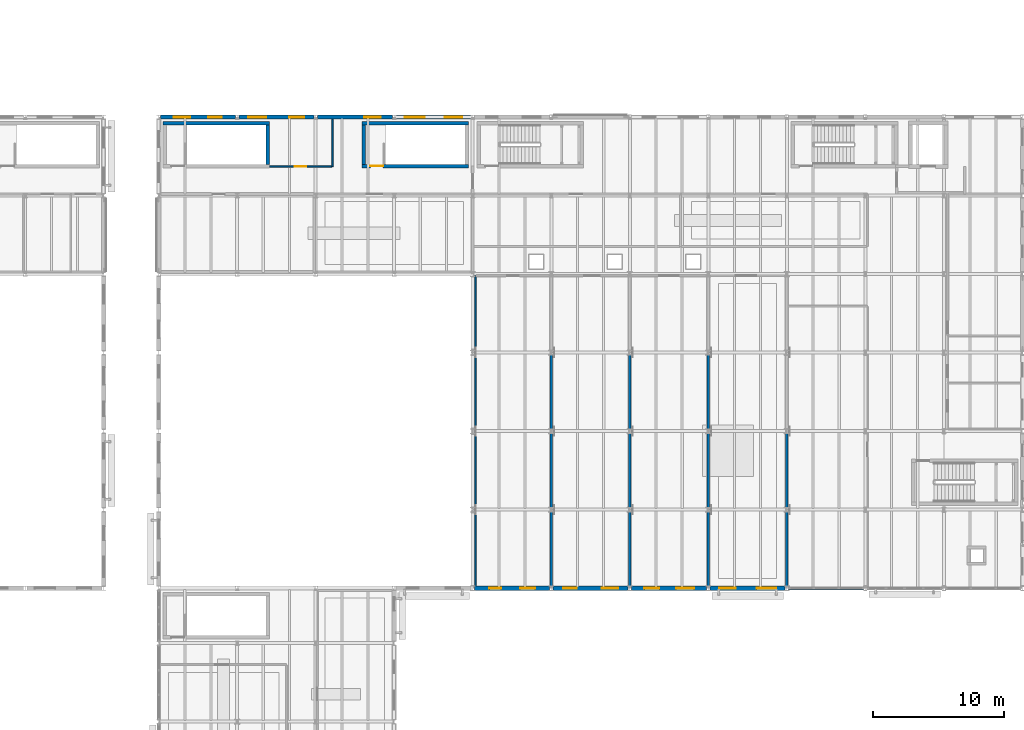
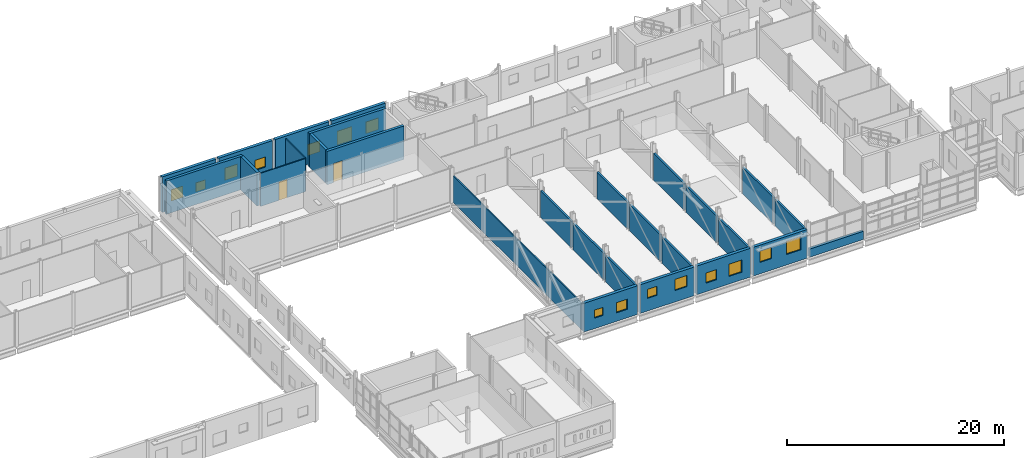
# One storey, part 67 of 92: 28 walls, 15 windows, 2 doors, 17 openings.
"""IFC4 building model written with IfcOpenShell, lengths in metres."""

from ifc_helpers import new_model, si_unit, direction, frame, frame_2d, origin, place, context, subcontext, project, spatial, rectangle, extrude, material, layer, layer_set, type_object, element, fill, save


model = new_model("IFC4")

# Units and contexts
model_context = context("Model", 3, precision=1e-05, world=origin(), true_north=direction((0.0, 1.0)))
body_context = subcontext(model_context, "Body", "Model", "MODEL_VIEW")
ifc_project = project(units=[si_unit("LENGTHUNIT", "METRE"), si_unit("AREAUNIT", "SQUARE_METRE"), si_unit("VOLUMEUNIT", "CUBIC_METRE"), si_unit("PLANEANGLEUNIT", "RADIAN"), si_unit("MASSUNIT", "GRAM", prefix="KILO")], contexts=[model_context])

# Site, building, storey
site_placement = place(None, origin())
site = spatial("IfcSite", under=ifc_project, at=site_placement, CompositionType="ELEMENT")
building_placement = place(site_placement, origin())
building = spatial("IfcBuilding", under=site, at=building_placement, Name="Siltcreek Boulevard Central Fire Station", CompositionType="ELEMENT")
storey_placement = place(building_placement, frame((0.0, 0.0, 6.0)))
storey = spatial("IfcBuildingStorey", under=building, at=storey_placement, Name="L02", CompositionType="ELEMENT", Elevation=6.0)

# Walls
ifc_material_1 = material(Name="Concrete C40/50", Category="concrete")
ifc_layer_1 = layer(ifc_material_1, 0.280029296875, Name="Concrete C40/50")
ifc_layer_set_1 = layer_set([ifc_layer_1], Name="Concrete C40/50")
wall_type_1 = type_object("IfcWallType", Name="CW_SHEAR280", PredefinedType="SHEAR", material=ifc_layer_set_1)
wall_1_placement = place(storey_placement, frame((50.47998046875, 53.5400390625, 0.0), z_axis=(0.0, 0.0, 1.0), x_axis=(-1.0, 0.0, 0.0)))
element("IfcWall", 1, at=wall_1_placement, inside=storey, type_object=wall_type_1, Name="L02 ST-V1A stair enclosure north shear wall", PredefinedType="SHEAR", context=body_context, shape_type="SweptSolid", body=[
    extrude(rectangle(XDim=8.159912109375, YDim=0.280029296875, at=frame_2d((4.080078125, 0.0))), origin(), (0.0, 0.0, 1.0), 3.75),
])
wall_2_placement = place(storey_placement, frame((50.340087890625, 50.39990234375, 0.0), z_axis=(0.0, 0.0, 1.0), x_axis=(0.0, 1.0, 0.0)))
element("IfcWall", 2, at=wall_2_placement, inside=storey, type_object=wall_type_1, Name="L02 ST-V1A stair enclosure east shear wall", PredefinedType="SHEAR", context=body_context, shape_type="SweptSolid", body=[
    extrude(rectangle(XDim=3.0, YDim=0.280029296875, at=frame_2d((1.5, 0.0))), origin(), (0.0, 0.0, 1.0), 3.75),
])

# Wall, opening, door
wall_3_placement = place(storey_placement, frame((57.52001953125, 50.260009765625, 0.0), z_axis=(0.0, 0.0, 1.0), x_axis=(1.0, 0.0, 0.0)))
wall_3 = element("IfcWall", 3, at=wall_3_placement, inside=storey, type_object=wall_type_1, Name="L02 ST-V1B stair enclosure south shear wall", PredefinedType="SHEAR", context=body_context, shape_type="SweptSolid", body=[
    extrude(rectangle(XDim=8.159912109375, YDim=0.280029296875, at=frame_2d((4.080078125, 0.0))), origin(), (0.0, 0.0, 1.0), 3.75),
])
opening_1_placement = place(wall_3_placement, frame((0.64990234375, 0.0, 0.0)))
opening_1 = element("IfcOpeningElement", 4, at=opening_1_placement, cuts=wall_3, Name="Opening SD-008", PredefinedType="OPENING", context=body_context, shape_type="SweptSolid", body=[
    extrude(rectangle(XDim=0.97998046875, YDim=2.14990234375, at=frame_2d((0.489990234375, 1.074951171875))), frame((0.0, 0.14990234375, 0.0), z_axis=(0.0, -1.0, 0.0), x_axis=(1.0, 0.0, 0.0)), (0.0, 0.0, 1.0), 0.300048828125),
])
ifc_material_2 = material(Name="Hollow metal 90-min enclosed stair door")
door_type_1 = type_object("IfcDoorType", Name="DR_ST_098X215", OperationType="NOTDEFINED", PredefinedType="DOOR", material=ifc_material_2)
door_1_placement = place(opening_1_placement, origin())
door_1 = element("IfcDoor", 5, at=door_1_placement, inside=storey, type_object=door_type_1, Name="L02 ST-V1B enclosed exit stair door SD-008", OperationType="SINGLE_SWING_LEFT", OverallHeight=2.14990234375, OverallWidth=0.97998046875, PredefinedType="DOOR", context=body_context, shape_type="SweptSolid", body=[
    extrude(rectangle(XDim=0.97998046875, YDim=2.14990234375, at=frame_2d((0.489990234375, 1.074951171875))), frame((0.0, 0.02490234375, 0.0), z_axis=(0.0, -1.0, 0.0), x_axis=(1.0, 0.0, 0.0)), (0.0, 0.0, 1.0), 0.050048828125),
])
fill(opening_1, door_1)

# Walls
wall_4_placement = place(storey_placement, frame((65.679931640625, 53.5400390625, 0.0), z_axis=(0.0, 0.0, 1.0), x_axis=(-1.0, 0.0, 0.0)))
element("IfcWall", 6, at=wall_4_placement, inside=storey, type_object=wall_type_1, Name="L02 ST-V1B stair enclosure north shear wall", PredefinedType="SHEAR", context=body_context, shape_type="SweptSolid", body=[
    extrude(rectangle(XDim=8.159912109375, YDim=0.280029296875, at=frame_2d((4.080078125, 0.0))), origin(), (0.0, 0.0, 1.0), 3.75),
])
wall_5_placement = place(storey_placement, frame((57.659912109375, 53.39990234375, 0.0), z_axis=(0.0, 0.0, 1.0), x_axis=(0.0, -1.0, 0.0)))
element("IfcWall", 7, at=wall_5_placement, inside=storey, type_object=wall_type_1, Name="L02 ST-V1B stair enclosure west shear wall", PredefinedType="SHEAR", context=body_context, shape_type="SweptSolid", body=[
    extrude(rectangle(XDim=3.0, YDim=0.280029296875, at=frame_2d((1.5, 0.0))), origin(), (0.0, 0.0, 1.0), 3.75),
])
ifc_material_3 = material(Name="White ribbed aluminum spandrel wall", Category="aluminium")
ifc_layer_2 = layer(ifc_material_3, 0.2900390625, Name="White ribbed aluminum spandrel wall")
ifc_layer_set_2 = layer_set([ifc_layer_2], Name="White ribbed aluminum spandrel wall")
wall_type_2 = type_object("IfcWallType", Name="EW_METAL290", PredefinedType="STANDARD", material=ifc_layer_set_2)
wall_6_placement = place(storey_placement, frame((90.14501953125, 18.0, 0.0), z_axis=(0.0, 0.0, 1.0), x_axis=(1.0, 0.0, 0.0)))
element("IfcWall", 8, at=wall_6_placement, inside=storey, type_object=wall_type_2, Name="L02 V2 curtain-wall sill spandrel 0065", PredefinedType="STANDARD", context=body_context, shape_type="SweptSolid", body=[
    extrude(rectangle(XDim=5.7099609375, YDim=0.2900390625, at=frame_2d((2.85498046875, 0.0))), origin(), (0.0, 0.0, 1.0), 0.919921875),
])

# Wall, openings, windows
ifc_material_4 = material(Name="White ribbed aluminum insulated rainscreen panel", Category="aluminium")
ifc_layer_3 = layer(ifc_material_4, 0.320068359375, Name="White ribbed aluminum insulated rainscreen panel")
ifc_layer_set_3 = layer_set([ifc_layer_3], Name="White ribbed aluminum insulated rainscreen panel")
wall_type_3 = type_object("IfcWallType", Name="EW_METAL320", PredefinedType="STANDARD", material=ifc_layer_set_3)
wall_7_placement = place(storey_placement, frame((47.85498046875, 54.0, 0.0), z_axis=(0.0, 0.0, 1.0), x_axis=(-1.0, 0.0, 0.0)))
wall_7 = element("IfcWall", 9, at=wall_7_placement, inside=storey, type_object=wall_type_3, Name="L02 V1 exterior insulated rainscreen wall WL-EXT-L02-0033", PredefinedType="STANDARD", context=body_context, shape_type="SweptSolid", body=[
    extrude(rectangle(XDim=5.7099609375, YDim=0.320068359375, at=frame_2d((2.85498046875, 0.0))), origin(), (0.0, 0.0, 1.0), 4.0),
])
opening_2_placement = place(wall_7_placement, frame((1.05322265625, 0.0, 0.9599609375)))
opening_2 = element("IfcOpeningElement", 10, at=opening_2_placement, cuts=wall_7, Name="Opening WN38", PredefinedType="OPENING", context=body_context, shape_type="SweptSolid", body=[
    extrude(rectangle(XDim=1.02001953125, YDim=1.02001953125, at=frame_2d((0.510009765625, 0.510009765625))), frame((0.0, 0.169921875, 0.0), z_axis=(0.0, -1.0, 0.0), x_axis=(1.0, 0.0, 0.0)), (0.0, 0.0, 1.0), 0.340087890625),
])
opening_3_placement = place(wall_7_placement, frame((3.44140625, 0.0, 0.860107421875)))
opening_3 = element("IfcOpeningElement", 11, at=opening_3_placement, cuts=wall_7, Name="Opening WN40", PredefinedType="OPENING", context=body_context, shape_type="SweptSolid", body=[
    extrude(rectangle(XDim=1.260009765625, YDim=1.260009765625, at=frame_2d((0.6298828125, 0.6298828125))), frame((0.0, 0.169921875, 0.0), z_axis=(0.0, -1.0, 0.0), x_axis=(1.0, 0.0, 0.0)), (0.0, 0.0, 1.0), 0.340087890625),
])
ifc_material_5 = material(Name="Thermally broken aluminum frame with low-E insulated glass", Category="aluminium")
window_type_1 = type_object("IfcWindowType", Name="WN_SQ_102X102", PartitioningType="SINGLE_PANEL", PredefinedType="WINDOW", material=ifc_material_5)
window_1_placement = place(opening_2_placement, origin())
window_1 = element("IfcWindow", 12, at=window_1_placement, inside=storey, type_object=window_type_1, Name="L02 V1 square exterior window WN-0011", OverallHeight=1.02001953125, OverallWidth=1.02001953125, PartitioningType="SINGLE_PANEL", PredefinedType="WINDOW", context=body_context, shape_type="SweptSolid", body=[
    extrude(rectangle(XDim=1.02001953125, YDim=1.02001953125, at=frame_2d((0.510009765625, 0.510009765625))), frame((0.0, 0.030029296875, 0.0), z_axis=(0.0, -1.0, 0.0), x_axis=(1.0, 0.0, 0.0)), (0.0, 0.0, 1.0), 0.06005859375),
])
fill(opening_2, window_1)
window_type_2 = type_object("IfcWindowType", Name="WN_SQ_126X126", PartitioningType="SINGLE_PANEL", PredefinedType="WINDOW", material=ifc_material_5)
window_2_placement = place(opening_3_placement, origin())
window_2 = element("IfcWindow", 13, at=window_2_placement, inside=storey, type_object=window_type_2, Name="L02 V1 square exterior window WN-0012", OverallHeight=1.260009765625, OverallWidth=1.260009765625, PartitioningType="SINGLE_PANEL", PredefinedType="WINDOW", context=body_context, shape_type="SweptSolid", body=[
    extrude(rectangle(XDim=1.260009765625, YDim=1.260009765625, at=frame_2d((0.6298828125, 0.6298828125))), frame((0.0, 0.030029296875, 0.0), z_axis=(0.0, -1.0, 0.0), x_axis=(1.0, 0.0, 0.0)), (0.0, 0.0, 1.0), 0.06005859375),
])
fill(opening_3, window_2)

wall_8_placement = place(storey_placement, frame((53.85498046875, 54.0, 0.0), z_axis=(0.0, 0.0, 1.0), x_axis=(-1.0, 0.0, 0.0)))
wall_8 = element("IfcWall", 14, at=wall_8_placement, inside=storey, type_object=wall_type_3, Name="L02 V1 exterior insulated rainscreen wall WL-EXT-L02-0034", PredefinedType="STANDARD", context=body_context, shape_type="SweptSolid", body=[
    extrude(rectangle(XDim=5.7099609375, YDim=0.320068359375, at=frame_2d((2.85498046875, 0.0))), origin(), (0.0, 0.0, 1.0), 4.0),
])
opening_4_placement = place(wall_8_placement, frame((0.73291015625, 0.0, 1.280029296875)))
opening_4 = element("IfcOpeningElement", 15, at=opening_4_placement, cuts=wall_8, Name="Opening WN39", PredefinedType="OPENING", context=body_context, shape_type="SweptSolid", body=[
    extrude(rectangle(XDim=1.139892578125, YDim=1.139892578125, at=frame_2d((0.56982421875, 0.56982421875))), frame((0.0, 0.169921875, 0.0), z_axis=(0.0, -1.0, 0.0), x_axis=(1.0, 0.0, 0.0)), (0.0, 0.0, 1.0), 0.340087890625),
])
opening_5_placement = place(wall_8_placement, frame((3.62109375, 0.0, 1.179931640625)))
opening_5 = element("IfcOpeningElement", 16, at=opening_5_placement, cuts=wall_8, Name="Opening WN41", PredefinedType="OPENING", context=body_context, shape_type="SweptSolid", body=[
    extrude(rectangle(XDim=1.3798828125, YDim=1.3798828125, at=frame_2d((0.68994140625, 0.68994140625))), frame((0.0, 0.169921875, 0.0), z_axis=(0.0, -1.0, 0.0), x_axis=(1.0, 0.0, 0.0)), (0.0, 0.0, 1.0), 0.340087890625),
])
window_type_3 = type_object("IfcWindowType", Name="WN_SQ_114X114", PartitioningType="SINGLE_PANEL", PredefinedType="WINDOW", material=ifc_material_5)
window_3_placement = place(opening_4_placement, origin())
window_3 = element("IfcWindow", 17, at=window_3_placement, inside=storey, type_object=window_type_3, Name="L02 V1 square exterior window WN-0013", OverallHeight=1.139892578125, OverallWidth=1.139892578125, PartitioningType="SINGLE_PANEL", PredefinedType="WINDOW", context=body_context, shape_type="SweptSolid", body=[
    extrude(rectangle(XDim=1.139892578125, YDim=1.139892578125, at=frame_2d((0.56982421875, 0.56982421875))), frame((0.0, 0.030029296875, 0.0), z_axis=(0.0, -1.0, 0.0), x_axis=(1.0, 0.0, 0.0)), (0.0, 0.0, 1.0), 0.06005859375),
])
fill(opening_4, window_3)
window_type_4 = type_object("IfcWindowType", Name="WN_SQ_138X138", PartitioningType="SINGLE_PANEL", PredefinedType="WINDOW", material=ifc_material_5)
window_4_placement = place(opening_5_placement, origin())
window_4 = element("IfcWindow", 18, at=window_4_placement, inside=storey, type_object=window_type_4, Name="L02 V1 square exterior window WN-0014", OverallHeight=1.3798828125, OverallWidth=1.3798828125, PartitioningType="SINGLE_PANEL", PredefinedType="WINDOW", context=body_context, shape_type="SweptSolid", body=[
    extrude(rectangle(XDim=1.3798828125, YDim=1.3798828125, at=frame_2d((0.68994140625, 0.68994140625))), frame((0.0, 0.030029296875, 0.0), z_axis=(0.0, -1.0, 0.0), x_axis=(1.0, 0.0, 0.0)), (0.0, 0.0, 1.0), 0.06005859375),
])
fill(opening_5, window_4)

# Wall, opening, window
wall_9_placement = place(storey_placement, frame((59.85498046875, 54.0, 0.0), z_axis=(0.0, 0.0, 1.0), x_axis=(-1.0, 0.0, 0.0)))
wall_9 = element("IfcWall", 19, at=wall_9_placement, inside=storey, type_object=wall_type_3, Name="L02 V1 exterior insulated rainscreen wall WL-EXT-L02-0035", PredefinedType="STANDARD", context=body_context, shape_type="SweptSolid", body=[
    extrude(rectangle(XDim=5.7099609375, YDim=0.320068359375, at=frame_2d((2.85498046875, 0.0))), origin(), (0.0, 0.0, 1.0), 4.0),
])
opening_6_placement = place(wall_9_placement, frame((0.897216796875, 0.0, 0.860107421875)))
opening_6 = element("IfcOpeningElement", 20, at=opening_6_placement, cuts=wall_9, Name="Opening WN40", PredefinedType="OPENING", context=body_context, shape_type="SweptSolid", body=[
    extrude(rectangle(XDim=1.260009765625, YDim=1.260009765625, at=frame_2d((0.6298828125, 0.6298828125))), frame((0.0, 0.169921875, 0.0), z_axis=(0.0, -1.0, 0.0), x_axis=(1.0, 0.0, 0.0)), (0.0, 0.0, 1.0), 0.340087890625),
])
window_5_placement = place(opening_6_placement, origin())
window_5 = element("IfcWindow", 21, at=window_5_placement, inside=storey, type_object=window_type_2, Name="L02 V1 square exterior window WN-0015", OverallHeight=1.260009765625, OverallWidth=1.260009765625, PartitioningType="SINGLE_PANEL", PredefinedType="WINDOW", context=body_context, shape_type="SweptSolid", body=[
    extrude(rectangle(XDim=1.260009765625, YDim=1.260009765625, at=frame_2d((0.6298828125, 0.6298828125))), frame((0.0, 0.030029296875, 0.0), z_axis=(0.0, -1.0, 0.0), x_axis=(1.0, 0.0, 0.0)), (0.0, 0.0, 1.0), 0.06005859375),
])
fill(opening_6, window_5)

# Wall, openings, windows
wall_10_placement = place(storey_placement, frame((65.85498046875, 54.0, 0.0), z_axis=(0.0, 0.0, 1.0), x_axis=(-1.0, 0.0, 0.0)))
wall_10 = element("IfcWall", 22, at=wall_10_placement, inside=storey, type_object=wall_type_3, Name="L02 V1 exterior insulated rainscreen wall WL-EXT-L02-0036", PredefinedType="STANDARD", context=body_context, shape_type="SweptSolid", body=[
    extrude(rectangle(XDim=5.7099609375, YDim=0.320068359375, at=frame_2d((2.85498046875, 0.0))), origin(), (0.0, 0.0, 1.0), 4.0),
])
opening_7_placement = place(wall_10_placement, frame((0.669921875, 0.0, 1.179931640625)))
opening_7 = element("IfcOpeningElement", 23, at=opening_7_placement, cuts=wall_10, Name="Opening WN02", PredefinedType="OPENING", context=body_context, shape_type="SweptSolid", body=[
    extrude(rectangle(XDim=1.320068359375, YDim=1.320068359375, at=frame_2d((0.66015625, 0.66015625))), frame((0.0, 0.169921875, 0.0), z_axis=(0.0, -1.0, 0.0), x_axis=(1.0, 0.0, 0.0)), (0.0, 0.0, 1.0), 0.340087890625),
])
opening_8_placement = place(wall_10_placement, frame((3.504150390625, 0.0, 0.9599609375)))
opening_8 = element("IfcOpeningElement", 24, at=opening_8_placement, cuts=wall_10, Name="Opening WN04", PredefinedType="OPENING", context=body_context, shape_type="SweptSolid", body=[
    extrude(rectangle(XDim=1.56005859375, YDim=1.56005859375, at=frame_2d((0.780029296875, 0.780029296875))), frame((0.0, 0.169921875, 0.0), z_axis=(0.0, -1.0, 0.0), x_axis=(1.0, 0.0, 0.0)), (0.0, 0.0, 1.0), 0.340087890625),
])
window_type_5 = type_object("IfcWindowType", Name="WN_SQ_132X132", PartitioningType="SINGLE_PANEL", PredefinedType="WINDOW", material=ifc_material_5)
window_6_placement = place(opening_7_placement, origin())
window_6 = element("IfcWindow", 25, at=window_6_placement, inside=storey, type_object=window_type_5, Name="L02 V1 square exterior window WN-0016", OverallHeight=1.320068359375, OverallWidth=1.320068359375, PartitioningType="SINGLE_PANEL", PredefinedType="WINDOW", context=body_context, shape_type="SweptSolid", body=[
    extrude(rectangle(XDim=1.320068359375, YDim=1.320068359375, at=frame_2d((0.66015625, 0.66015625))), frame((0.0, 0.030029296875, 0.0), z_axis=(0.0, -1.0, 0.0), x_axis=(1.0, 0.0, 0.0)), (0.0, 0.0, 1.0), 0.06005859375),
])
fill(opening_7, window_6)
window_type_6 = type_object("IfcWindowType", Name="WN_SQ_156X156", PartitioningType="SINGLE_PANEL", PredefinedType="WINDOW", material=ifc_material_5)
window_7_placement = place(opening_8_placement, origin())
window_7 = element("IfcWindow", 26, at=window_7_placement, inside=storey, type_object=window_type_6, Name="L02 V1 square exterior window WN-0017", OverallHeight=1.56005859375, OverallWidth=1.56005859375, PartitioningType="SINGLE_PANEL", PredefinedType="WINDOW", context=body_context, shape_type="SweptSolid", body=[
    extrude(rectangle(XDim=1.56005859375, YDim=1.56005859375, at=frame_2d((0.780029296875, 0.780029296875))), frame((0.0, 0.030029296875, 0.0), z_axis=(0.0, -1.0, 0.0), x_axis=(1.0, 0.0, 0.0)), (0.0, 0.0, 1.0), 0.06005859375),
])
fill(opening_8, window_7)

wall_11_placement = place(storey_placement, frame((66.14501953125, 18.0, 0.0), z_axis=(0.0, 0.0, 1.0), x_axis=(1.0, 0.0, 0.0)))
wall_11 = element("IfcWall", 27, at=wall_11_placement, inside=storey, type_object=wall_type_3, Name="L02 V2 exterior insulated rainscreen wall WL-EXT-L02-0061", PredefinedType="STANDARD", context=body_context, shape_type="SweptSolid", body=[
    extrude(rectangle(XDim=5.7099609375, YDim=0.320068359375, at=frame_2d((2.85498046875, 0.0))), origin(), (0.0, 0.0, 1.0), 3.222900390625),
])
opening_9_placement = place(wall_11_placement, frame((1.13134765625, 0.0, 1.179931640625)))
opening_9 = element("IfcOpeningElement", 28, at=opening_9_placement, cuts=wall_11, Name="Opening WN37", PredefinedType="OPENING", context=body_context, shape_type="SweptSolid", body=[
    extrude(rectangle(XDim=0.89990234375, YDim=0.89990234375, at=frame_2d((0.449951171875, 0.449951171875))), frame((0.0, 0.169921875, 0.0), z_axis=(0.0, -1.0, 0.0), x_axis=(1.0, 0.0, 0.0)), (0.0, 0.0, 1.0), 0.340087890625),
])
opening_10_placement = place(wall_11_placement, frame((3.4833984375, 0.0, 0.9599609375)))
opening_10 = element("IfcOpeningElement", 29, at=opening_10_placement, cuts=wall_11, Name="Opening WN39", PredefinedType="OPENING", context=body_context, shape_type="SweptSolid", body=[
    extrude(rectangle(XDim=1.139892578125, YDim=1.139892578125, at=frame_2d((0.56982421875, 0.56982421875))), frame((0.0, 0.169921875, 0.0), z_axis=(0.0, -1.0, 0.0), x_axis=(1.0, 0.0, 0.0)), (0.0, 0.0, 1.0), 0.340087890625),
])
window_type_7 = type_object("IfcWindowType", Name="WN_SQ_090X090", PartitioningType="SINGLE_PANEL", PredefinedType="WINDOW", material=ifc_material_5)
window_8_placement = place(opening_9_placement, origin())
window_8 = element("IfcWindow", 30, at=window_8_placement, inside=storey, type_object=window_type_7, Name="L02 V2 square exterior window WN-0033", OverallHeight=0.89990234375, OverallWidth=0.89990234375, PartitioningType="SINGLE_PANEL", PredefinedType="WINDOW", context=body_context, shape_type="SweptSolid", body=[
    extrude(rectangle(XDim=0.89990234375, YDim=0.89990234375, at=frame_2d((0.449951171875, 0.449951171875))), frame((0.0, 0.030029296875, 0.0), z_axis=(0.0, -1.0, 0.0), x_axis=(1.0, 0.0, 0.0)), (0.0, 0.0, 1.0), 0.06005859375),
])
fill(opening_9, window_8)
window_9_placement = place(opening_10_placement, origin())
window_9 = element("IfcWindow", 31, at=window_9_placement, inside=storey, type_object=window_type_3, Name="L02 V2 square exterior window WN-0034", OverallHeight=1.139892578125, OverallWidth=1.139892578125, PartitioningType="SINGLE_PANEL", PredefinedType="WINDOW", context=body_context, shape_type="SweptSolid", body=[
    extrude(rectangle(XDim=1.139892578125, YDim=1.139892578125, at=frame_2d((0.56982421875, 0.56982421875))), frame((0.0, 0.030029296875, 0.0), z_axis=(0.0, -1.0, 0.0), x_axis=(1.0, 0.0, 0.0)), (0.0, 0.0, 1.0), 0.06005859375),
])
fill(opening_10, window_9)

wall_12_placement = place(storey_placement, frame((72.14501953125, 18.0, 0.0), z_axis=(0.0, 0.0, 1.0), x_axis=(1.0, 0.0, 0.0)))
wall_12 = element("IfcWall", 32, at=wall_12_placement, inside=storey, type_object=wall_type_3, Name="L02 V2 exterior insulated rainscreen wall WL-EXT-L02-0062", PredefinedType="STANDARD", context=body_context, shape_type="SweptSolid", body=[
    extrude(rectangle(XDim=5.7099609375, YDim=0.320068359375, at=frame_2d((2.85498046875, 0.0))), origin(), (0.0, 0.0, 1.0), 3.222900390625),
])
opening_11_placement = place(wall_12_placement, frame((0.77490234375, 0.0, 1.419921875)))
opening_11 = element("IfcOpeningElement", 33, at=opening_11_placement, cuts=wall_12, Name="Opening WN38", PredefinedType="OPENING", context=body_context, shape_type="SweptSolid", body=[
    extrude(rectangle(XDim=1.02001953125, YDim=1.02001953125, at=frame_2d((0.510009765625, 0.510009765625))), frame((0.0, 0.169921875, 0.0), z_axis=(0.0, -1.0, 0.0), x_axis=(1.0, 0.0, 0.0)), (0.0, 0.0, 1.0), 0.340087890625),
])
opening_12_placement = place(wall_12_placement, frame((3.69921875, 0.0, 1.280029296875)))
opening_12 = element("IfcOpeningElement", 34, at=opening_12_placement, cuts=wall_12, Name="Opening WN40", PredefinedType="OPENING", context=body_context, shape_type="SweptSolid", body=[
    extrude(rectangle(XDim=1.260009765625, YDim=1.260009765625, at=frame_2d((0.6298828125, 0.6298828125))), frame((0.0, 0.169921875, 0.0), z_axis=(0.0, -1.0, 0.0), x_axis=(1.0, 0.0, 0.0)), (0.0, 0.0, 1.0), 0.340087890625),
])
window_10_placement = place(opening_11_placement, origin())
window_10 = element("IfcWindow", 35, at=window_10_placement, inside=storey, type_object=window_type_1, Name="L02 V2 square exterior window WN-0035", OverallHeight=1.02001953125, OverallWidth=1.02001953125, PartitioningType="SINGLE_PANEL", PredefinedType="WINDOW", context=body_context, shape_type="SweptSolid", body=[
    extrude(rectangle(XDim=1.02001953125, YDim=1.02001953125, at=frame_2d((0.510009765625, 0.510009765625))), frame((0.0, 0.030029296875, 0.0), z_axis=(0.0, -1.0, 0.0), x_axis=(1.0, 0.0, 0.0)), (0.0, 0.0, 1.0), 0.06005859375),
])
fill(opening_11, window_10)
window_11_placement = place(opening_12_placement, origin())
window_11 = element("IfcWindow", 36, at=window_11_placement, inside=storey, type_object=window_type_2, Name="L02 V2 square exterior window WN-0036", OverallHeight=1.260009765625, OverallWidth=1.260009765625, PartitioningType="SINGLE_PANEL", PredefinedType="WINDOW", context=body_context, shape_type="SweptSolid", body=[
    extrude(rectangle(XDim=1.260009765625, YDim=1.260009765625, at=frame_2d((0.6298828125, 0.6298828125))), frame((0.0, 0.030029296875, 0.0), z_axis=(0.0, -1.0, 0.0), x_axis=(1.0, 0.0, 0.0)), (0.0, 0.0, 1.0), 0.06005859375),
])
fill(opening_12, window_11)

wall_13_placement = place(storey_placement, frame((78.14501953125, 18.0, 0.0), z_axis=(0.0, 0.0, 1.0), x_axis=(1.0, 0.0, 0.0)))
wall_13 = element("IfcWall", 37, at=wall_13_placement, inside=storey, type_object=wall_type_3, Name="L02 V2 exterior insulated rainscreen wall WL-EXT-L02-0063", PredefinedType="STANDARD", context=body_context, shape_type="SweptSolid", body=[
    extrude(rectangle(XDim=5.7099609375, YDim=0.320068359375, at=frame_2d((2.85498046875, 0.0))), origin(), (0.0, 0.0, 1.0), 3.222900390625),
])
opening_13_placement = place(wall_13_placement, frame((0.975341796875, 0.0, 0.9599609375)))
opening_13 = element("IfcOpeningElement", 38, at=opening_13_placement, cuts=wall_13, Name="Opening WN39", PredefinedType="OPENING", context=body_context, shape_type="SweptSolid", body=[
    extrude(rectangle(XDim=1.139892578125, YDim=1.139892578125, at=frame_2d((0.56982421875, 0.56982421875))), frame((0.0, 0.169921875, 0.0), z_axis=(0.0, -1.0, 0.0), x_axis=(1.0, 0.0, 0.0)), (0.0, 0.0, 1.0), 0.340087890625),
])
opening_14_placement = place(wall_13_placement, frame((3.3994140625, 0.0, 0.860107421875)))
opening_14 = element("IfcOpeningElement", 39, at=opening_14_placement, cuts=wall_13, Name="Opening WN41", PredefinedType="OPENING", context=body_context, shape_type="SweptSolid", body=[
    extrude(rectangle(XDim=1.3798828125, YDim=1.3798828125, at=frame_2d((0.68994140625, 0.68994140625))), frame((0.0, 0.169921875, 0.0), z_axis=(0.0, -1.0, 0.0), x_axis=(1.0, 0.0, 0.0)), (0.0, 0.0, 1.0), 0.340087890625),
])
window_12_placement = place(opening_13_placement, origin())
window_12 = element("IfcWindow", 40, at=window_12_placement, inside=storey, type_object=window_type_3, Name="L02 V2 square exterior window WN-0037", OverallHeight=1.139892578125, OverallWidth=1.139892578125, PartitioningType="SINGLE_PANEL", PredefinedType="WINDOW", context=body_context, shape_type="SweptSolid", body=[
    extrude(rectangle(XDim=1.139892578125, YDim=1.139892578125, at=frame_2d((0.56982421875, 0.56982421875))), frame((0.0, 0.030029296875, 0.0), z_axis=(0.0, -1.0, 0.0), x_axis=(1.0, 0.0, 0.0)), (0.0, 0.0, 1.0), 0.06005859375),
])
fill(opening_13, window_12)
window_13_placement = place(opening_14_placement, origin())
window_13 = element("IfcWindow", 41, at=window_13_placement, inside=storey, type_object=window_type_4, Name="L02 V2 square exterior window WN-0038", OverallHeight=1.3798828125, OverallWidth=1.3798828125, PartitioningType="SINGLE_PANEL", PredefinedType="WINDOW", context=body_context, shape_type="SweptSolid", body=[
    extrude(rectangle(XDim=1.3798828125, YDim=1.3798828125, at=frame_2d((0.68994140625, 0.68994140625))), frame((0.0, 0.030029296875, 0.0), z_axis=(0.0, -1.0, 0.0), x_axis=(1.0, 0.0, 0.0)), (0.0, 0.0, 1.0), 0.06005859375),
])
fill(opening_14, window_13)

wall_14_placement = place(storey_placement, frame((84.14501953125, 18.0, 0.0), z_axis=(0.0, 0.0, 1.0), x_axis=(1.0, 0.0, 0.0)))
wall_14 = element("IfcWall", 42, at=wall_14_placement, inside=storey, type_object=wall_type_3, Name="L02 V2 exterior insulated rainscreen wall WL-EXT-L02-0064", PredefinedType="STANDARD", context=body_context, shape_type="SweptSolid", body=[
    extrude(rectangle(XDim=5.7099609375, YDim=0.320068359375, at=frame_2d((2.85498046875, 0.0))), origin(), (0.0, 0.0, 1.0), 3.222900390625),
])
opening_15_placement = place(wall_14_placement, frame((0.69091796875, 0.0, 1.280029296875)))
opening_15 = element("IfcOpeningElement", 43, at=opening_15_placement, cuts=wall_14, Name="Opening WN40", PredefinedType="OPENING", context=body_context, shape_type="SweptSolid", body=[
    extrude(rectangle(XDim=1.260009765625, YDim=1.260009765625, at=frame_2d((0.6298828125, 0.6298828125))), frame((0.0, 0.169921875, 0.0), z_axis=(0.0, -1.0, 0.0), x_axis=(1.0, 0.0, 0.0)), (0.0, 0.0, 1.0), 0.340087890625),
])
opening_16_placement = place(wall_14_placement, frame((3.543212890625, 0.0, 1.179931640625)))
opening_16 = element("IfcOpeningElement", 44, at=opening_16_placement, cuts=wall_14, Name="Opening WN42", PredefinedType="OPENING", context=body_context, shape_type="SweptSolid", body=[
    extrude(rectangle(XDim=1.5, YDim=1.5, at=frame_2d((0.75, 0.75))), frame((0.0, 0.169921875, 0.0), z_axis=(0.0, -1.0, 0.0), x_axis=(1.0, 0.0, 0.0)), (0.0, 0.0, 1.0), 0.340087890625),
])
window_14_placement = place(opening_15_placement, origin())
window_14 = element("IfcWindow", 45, at=window_14_placement, inside=storey, type_object=window_type_2, Name="L02 V2 square exterior window WN-0039", OverallHeight=1.260009765625, OverallWidth=1.260009765625, PartitioningType="SINGLE_PANEL", PredefinedType="WINDOW", context=body_context, shape_type="SweptSolid", body=[
    extrude(rectangle(XDim=1.260009765625, YDim=1.260009765625, at=frame_2d((0.6298828125, 0.6298828125))), frame((0.0, 0.030029296875, 0.0), z_axis=(0.0, -1.0, 0.0), x_axis=(1.0, 0.0, 0.0)), (0.0, 0.0, 1.0), 0.06005859375),
])
fill(opening_15, window_14)
window_type_8 = type_object("IfcWindowType", Name="WN_SQ_150X150", PartitioningType="SINGLE_PANEL", PredefinedType="WINDOW", material=ifc_material_5)
window_15_placement = place(opening_16_placement, origin())
window_15 = element("IfcWindow", 46, at=window_15_placement, inside=storey, type_object=window_type_8, Name="L02 V2 square exterior window WN-0040", OverallHeight=1.5, OverallWidth=1.5, PartitioningType="SINGLE_PANEL", PredefinedType="WINDOW", context=body_context, shape_type="SweptSolid", body=[
    extrude(rectangle(XDim=1.5, YDim=1.5, at=frame_2d((0.75, 0.75))), frame((0.0, 0.030029296875, 0.0), z_axis=(0.0, -1.0, 0.0), x_axis=(1.0, 0.0, 0.0)), (0.0, 0.0, 1.0), 0.06005859375),
])
fill(opening_16, window_15)

# Walls
ifc_material_6 = material(Name="Fire-rated concrete masonry and gypsum barrier", Category="masonry")
ifc_layer_4 = layer(ifc_material_6, 0.199951171875, Name="Fire-rated concrete masonry and gypsum barrier")
ifc_layer_set_4 = layer_set([ifc_layer_4], Name="Fire-rated concrete masonry and gypsum barrier")
wall_type_4 = type_object("IfcWallType", Name="IW_FIRE200", PredefinedType="PARTITIONING", material=ifc_layer_set_4)
for number, where, z_axis, x_axis, name in (
    (47, (72.0, 18.179931640625, 0.0), (0.0, 0.0, 1.0), (0.0, 1.0, 0.0), "L02 transfer-truss fire-rated enclosure wall X72-1"),
    (48, (72.0, 24.179931640625, 0.0), (0.0, 0.0, 1.0), (0.0, 1.0, 0.0), "L02 transfer-truss fire-rated enclosure wall X72-2"),
    (49, (72.0, 30.179931640625, 0.0), (0.0, 0.0, 1.0), (0.0, 1.0, 0.0), "L02 transfer-truss fire-rated enclosure wall X72-3"),
    (50, (78.0, 18.179931640625, 0.0), (0.0, 0.0, 1.0), (0.0, 1.0, 0.0), "L02 transfer-truss fire-rated enclosure wall X78-1"),
    (51, (78.0, 24.179931640625, 0.0), (0.0, 0.0, 1.0), (0.0, 1.0, 0.0), "L02 transfer-truss fire-rated enclosure wall X78-2"),
    (52, (78.0, 30.179931640625, 0.0), (0.0, 0.0, 1.0), (0.0, 1.0, 0.0), "L02 transfer-truss fire-rated enclosure wall X78-3"),
    (53, (84.0, 18.179931640625, 0.0), (0.0, 0.0, 1.0), (0.0, 1.0, 0.0), "L02 transfer-truss fire-rated enclosure wall X84-1"),
    (54, (84.0, 24.179931640625, 0.0), (0.0, 0.0, 1.0), (0.0, 1.0, 0.0), "L02 transfer-truss fire-rated enclosure wall X84-2"),
    (55, (84.0, 30.179931640625, 0.0), (0.0, 0.0, 1.0), (0.0, 1.0, 0.0), "L02 transfer-truss fire-rated enclosure wall X84-3"),
    (56, (90.0, 18.179931640625, 0.0), (0.0, 0.0, 1.0), (0.0, 1.0, 0.0), "L02 transfer-truss fire-rated enclosure wall X90-1"),
    (57, (90.0, 24.179931640625, 0.0), (0.0, 0.0, 1.0), (0.0, 1.0, 0.0), "L02 transfer-truss fire-rated enclosure wall X90-2"),
):
    element("IfcWall", number, at=place(storey_placement, frame(where, z_axis=z_axis, x_axis=x_axis)), inside=storey, type_object=wall_type_4, Name=name, PredefinedType="PARTITIONING", context=body_context, shape_type="SweptSolid", body=[
        extrude(rectangle(XDim=5.64013671875, YDim=0.199951171875, at=frame_2d((2.820068359375, 0.0))), origin(), (0.0, 0.0, 1.0), 2.97998046875),
    ])
ifc_material_7 = material(Name="Interior steel stud gypsum partition", Category="steel")
ifc_layer_5 = layer(ifc_material_7, 0.125, Name="Interior steel stud gypsum partition")
ifc_layer_set_5 = layer_set([ifc_layer_5], Name="Interior steel stud gypsum partition")
wall_type_5 = type_object("IfcWallType", Name="IW_PART125", PredefinedType="PARTITIONING", material=ifc_layer_set_5)
wall_15_placement = place(storey_placement, frame((66.199951171875, 18.159912109375, 0.0), z_axis=(0.0, 0.0, 1.0), x_axis=(0.0, 1.0, 0.0)))
element("IfcWall", 58, at=wall_15_placement, inside=storey, type_object=wall_type_5, Name="L02 Commercial Station Kitchen partition 0134", PredefinedType="PARTITIONING", context=body_context, shape_type="SweptSolid", body=[
    extrude(rectangle(XDim=23.72265625, YDim=0.125, at=frame_2d((11.861328125, 0.0))), origin(), (0.0, 0.0, 1.0), 2.9990234375),
])
ifc_material_8 = material(Name="Moisture-resistant tile backer toilet partition", Category="gypsum")
ifc_layer_6 = layer(ifc_material_8, 0.110107421875, Name="Moisture-resistant tile backer toilet partition")
ifc_layer_set_6 = layer_set([ifc_layer_6], Name="Moisture-resistant tile backer toilet partition")
wall_type_6 = type_object("IfcWallType", Name="IW_WET110", PredefinedType="PARTITIONING", material=ifc_layer_set_6)
wall_16_placement = place(storey_placement, frame((55.280029296875, 53.840087890625, 0.0), z_axis=(0.0, 0.0, 1.0), x_axis=(0.0, -1.0, 0.0)))
element("IfcWall", 59, at=wall_16_placement, inside=storey, type_object=wall_type_6, Name="L02 Decon Mezzanine Accessible Toilet L02 partition 0132", PredefinedType="PARTITIONING", context=body_context, shape_type="SweptSolid", body=[
    extrude(rectangle(XDim=3.614990234375, YDim=0.110107421875, at=frame_2d((1.8076171875, 0.0))), origin(), (0.0, 0.0, 1.0), 3.719970703125),
])

# Wall, opening, door
wall_17_placement = place(storey_placement, frame((55.22509765625, 50.219970703125, 0.0), z_axis=(0.0, 0.0, 1.0), x_axis=(-1.0, 0.0, 0.0)))
wall_17 = element("IfcWall", 60, at=wall_17_placement, inside=storey, type_object=wall_type_6, Name="L02 Decon Mezzanine Accessible Toilet L02 partition 0133", PredefinedType="PARTITIONING", context=body_context, shape_type="SweptSolid", body=[
    extrude(rectangle(XDim=4.7451171875, YDim=0.110107421875, at=frame_2d((2.37255859375, 0.0))), origin(), (0.0, 0.0, 1.0), 3.719970703125),
])
opening_17_placement = place(wall_17_placement, frame((1.9375, 0.0, 0.0)))
opening_17 = element("IfcOpeningElement", 61, at=opening_17_placement, cuts=wall_17, Name="Opening ID09", PredefinedType="OPENING", context=body_context, shape_type="SweptSolid", body=[
    extrude(rectangle(XDim=0.8701171875, YDim=2.06005859375, at=frame_2d((0.43505859375, 1.030029296875))), frame((0.0, 0.06494140625, 0.0), z_axis=(0.0, -1.0, 0.0), x_axis=(1.0, 0.0, 0.0)), (0.0, 0.0, 1.0), 0.130126953125),
])
ifc_material_9 = material(Name="Moisture-resistant staff toilet door")
door_type_2 = type_object("IfcDoorType", Name="DR_WC_087X206", OperationType="NOTDEFINED", PredefinedType="DOOR", material=ifc_material_9)
door_2_placement = place(opening_17_placement, frame((0.8701171875, 0.0, 0.0), z_axis=(0.0, 0.0, 1.0), x_axis=(-1.0, 0.0, 0.0)))
door_2 = element("IfcDoor", 62, at=door_2_placement, inside=storey, type_object=door_type_2, Name="L02 Decon Mezzanine Accessible Toilet L02 door ID-0060", OperationType="SINGLE_SWING_LEFT", OverallHeight=2.06005859375, OverallWidth=0.8701171875, PredefinedType="DOOR", context=body_context, shape_type="SweptSolid", body=[
    extrude(rectangle(XDim=0.8701171875, YDim=2.06005859375, at=frame_2d((0.43505859375, 1.030029296875))), frame((0.0, 0.02490234375, 0.0), z_axis=(0.0, -1.0, 0.0), x_axis=(1.0, 0.0, 0.0)), (0.0, 0.0, 1.0), 0.050048828125),
])
fill(opening_17, door_2)

save(model, "model.ifc")
